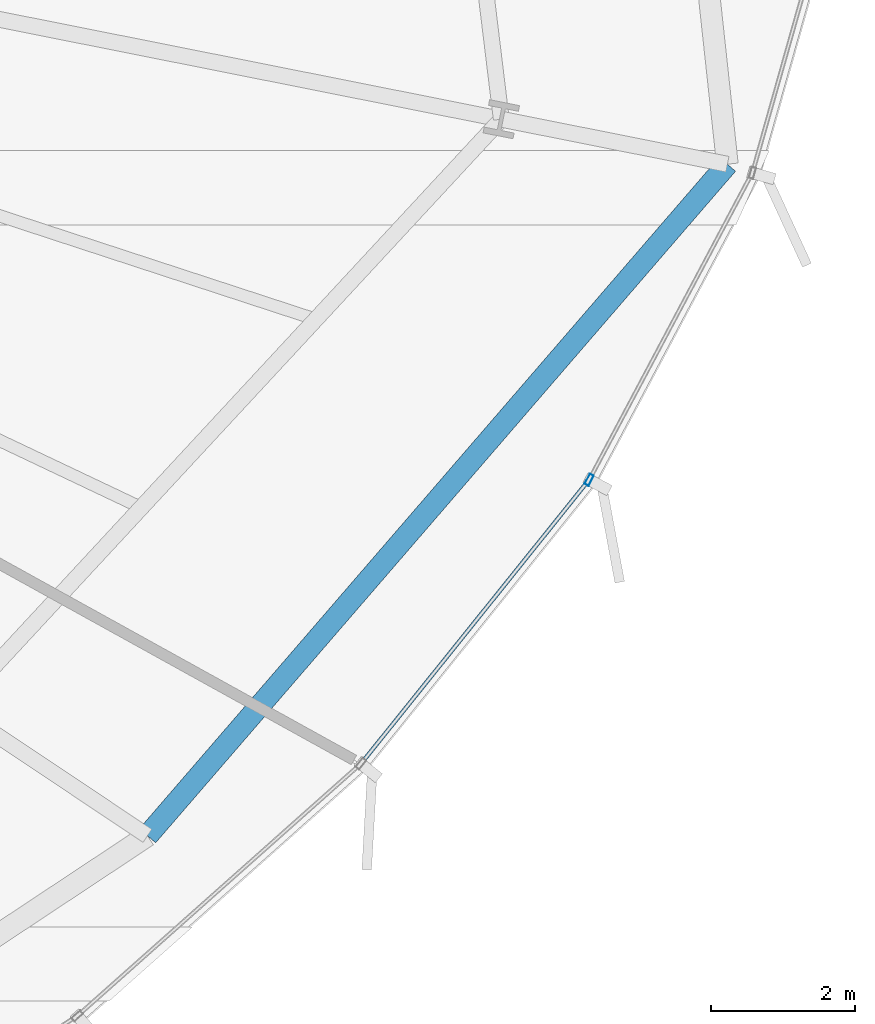
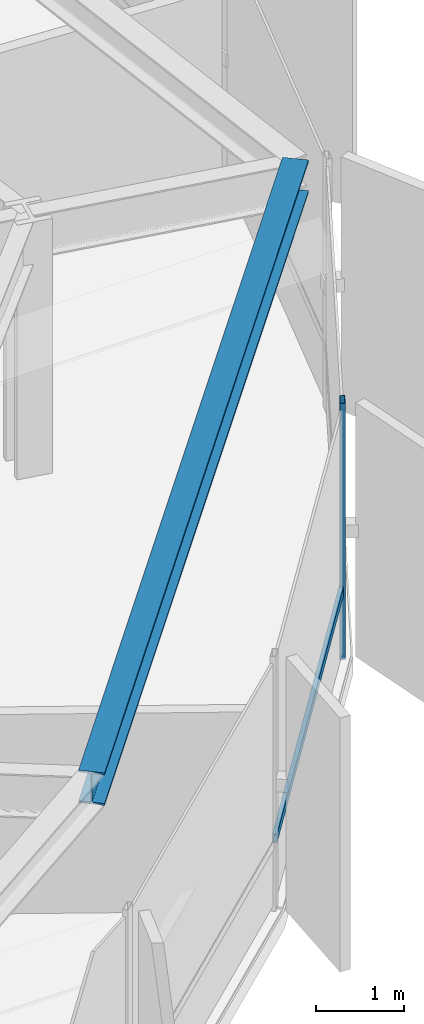
# One storey, part 14 of 37: 2 members, 1 beam, 1 element without a shape of its own.
"""IFC4 building model written with IfcOpenShell, lengths in metres."""

from ifc_helpers import new_model, si_unit, direction, frame, origin, origin_2d, place, context, subcontext, project, spatial, hollow_rectangle, i_section, extrude, source, transform, mapped, material, layer, layer_set, material_profile, profile_set, type_object, element, aggregate, save


model = new_model("IFC4")

# Units and contexts
model_context = context("Model", 3, precision=1e-05, world=origin(), true_north=direction((0.0, 1.0)))
body_context = subcontext(model_context, "Body", "Model", "MODEL_VIEW")
ifc_project = project(units=[si_unit("LENGTHUNIT", "METRE"), si_unit("AREAUNIT", "SQUARE_METRE"), si_unit("VOLUMEUNIT", "CUBIC_METRE"), si_unit("PLANEANGLEUNIT", "RADIAN"), si_unit("MASSUNIT", "GRAM", prefix="KILO"), si_unit("THERMODYNAMICTEMPERATUREUNIT", "KELVIN")], contexts=[model_context])

# Site, building, storey
site_placement = place(None, origin())
site = spatial("IfcSite", under=ifc_project, at=site_placement, CompositionType="ELEMENT")
building_placement = place(site_placement, origin())
building = spatial("IfcBuilding", under=site, at=building_placement, Name="Kethvar Cultural Tower", CompositionType="ELEMENT")
storey_placement = place(building_placement, frame((0.0, 0.0, 48.60009765625)))
storey = spatial("IfcBuildingStorey", under=building, at=storey_placement, Name="L11", CompositionType="ELEMENT", Elevation=48.60009765625)

# Beam
ifc_material_1 = material(Name="Steel S355J2", Category="steel")
ifc_material_profile_1 = material_profile(ifc_material_1, i_section(OverallWidth=0.300048828125, OverallDepth=0.449951171875, WebThickness=0.013916015625, FlangeThickness=0.02587890625, FilletRadius=0.027099609375, at=origin_2d()), Name="Steel S355J2 — HEB450")
ifc_profile_set_1 = profile_set([ifc_material_profile_1], Name="Steel S355J2 — HEB450")
beam_type = type_object("IfcBeamType", Name="BM-SP450", PredefinedType="SPANDREL", material=ifc_profile_set_1)
shared_shape_1 = source(origin(), body_context, "Body", "SweptSolid", [
    extrude(i_section(OverallWidth=0.300048828125, OverallDepth=0.449951171875, WebThickness=0.013916015625, FlangeThickness=0.02587890625, FilletRadius=0.027099609375, at=origin_2d()), origin(), (0.0, 0.0, 1.0), 12.3173828125),
])
beam_placement = place(storey_placement, frame((70.0791015625, 12.24560546875, 3.322998046875), z_axis=(0.653586327045, 0.756851975686, 0.0), x_axis=(-0.756851975686, 0.653586327045, 0.0)))
element("IfcBeam", 1, at=beam_placement, inside=storey, type_object=beam_type, Name="L11 Perimeter Spandrel Beam SP-15", PredefinedType="SPANDREL", context=body_context, shape_type="MappedRepresentation", body=[
    mapped(shared_shape_1, transform((0.0, 0.0, 0.0), scale=1.0)),
])

# Curtain wall, members
ifc_material_2 = material(Name="Aluminium 6063-T6", Category="aluminium")
ifc_layer = layer(ifc_material_2, 0.179931640625, Name="Aluminium 6063-T6", Category="aluminium")
ifc_layer_set = layer_set([ifc_layer], Name="Aluminium 6063-T6 (180 mm)")
curtain_wall_type = type_object("IfcCurtainWallType", Name="CW-SYS-02-Z1", PredefinedType="NOTDEFINED", material=ifc_layer_set)
curtain_wall_placement = place(storey_placement, origin())
curtain_wall = element("IfcCurtainWall", 2, at=curtain_wall_placement, inside=storey, type_object=curtain_wall_type, Name="L11 Curtain Wall Run 06", PredefinedType="NOTDEFINED")
ifc_material_profile_2 = material_profile(ifc_material_2, hollow_rectangle(XDim=0.06494140625, YDim=0.159912109375, WallThickness=0.0048828125, at=origin_2d()), Name="Aluminium 6063-T6 — RHS160x65x5")
ifc_profile_set_2 = profile_set([ifc_material_profile_2], Name="Aluminium 6063-T6 — RHS160x65x5")
member_type_1 = type_object("IfcMemberType", Name="CW-SYS-02-Z1-MUL", PredefinedType="MULLION", material=ifc_profile_set_2)
shared_shape_2 = source(origin(), body_context, "Body", "SweptSolid", [
    extrude(hollow_rectangle(XDim=0.06494140625, YDim=0.159912109375, WallThickness=0.0048828125, at=origin_2d()), origin(), (0.0, 0.0, 1.0), 3.5498046875),
])
member_1_placement = place(storey_placement, frame((76.211181640625, 17.186279296875, 0.0), z_axis=(0.0, 0.0, 1.0), x_axis=(-0.883176914503, 0.46904001715, 0.0)))
member_1 = element("IfcMember", 3, at=member_1_placement, type_object=member_type_1, Name="CW-L11-R06 Mullion 4", PredefinedType="MULLION", context=body_context, shape_type="MappedRepresentation", body=[
    mapped(shared_shape_2, transform((0.0, 0.0, 0.0), scale=1.0)),
])
ifc_material_profile_3 = material_profile(ifc_material_2, hollow_rectangle(XDim=0.054931640625, YDim=0.1201171875, WallThickness=0.00390625, at=origin_2d()), Name="Aluminium 6063-T6 — RHS120x55x4")
ifc_profile_set_3 = profile_set([ifc_material_profile_3], Name="Aluminium 6063-T6 — RHS120x55x4")
member_type_2 = type_object("IfcMemberType", Name="CW-SYS-02-Z1-TRN", PredefinedType="USERDEFINED", material=ifc_profile_set_3)
shared_shape_3 = source(origin(), body_context, "Body", "SweptSolid", [
    extrude(hollow_rectangle(XDim=0.054931640625, YDim=0.1201171875, WallThickness=0.00390625, at=origin_2d()), origin(), (0.0, 0.0, 1.0), 4.986572265625),
])
member_2_placement = place(storey_placement, frame((73.07177734375, 13.28076171875, 0.949951171875), z_axis=(0.626186560957, 0.779673259049, 0.0), x_axis=(-0.779673259049, 0.626186560957, 0.0)))
member_2 = element("IfcMember", 4, at=member_2_placement, type_object=member_type_2, Name="CW-L11-R06 Transom 3", ObjectType="TRANSOM", PredefinedType="USERDEFINED", context=body_context, shape_type="MappedRepresentation", body=[
    mapped(shared_shape_3, transform((0.0, 0.0, 0.0), scale=1.0)),
])
aggregate(curtain_wall, [member_1, member_2])

save(model, "model.ifc")
